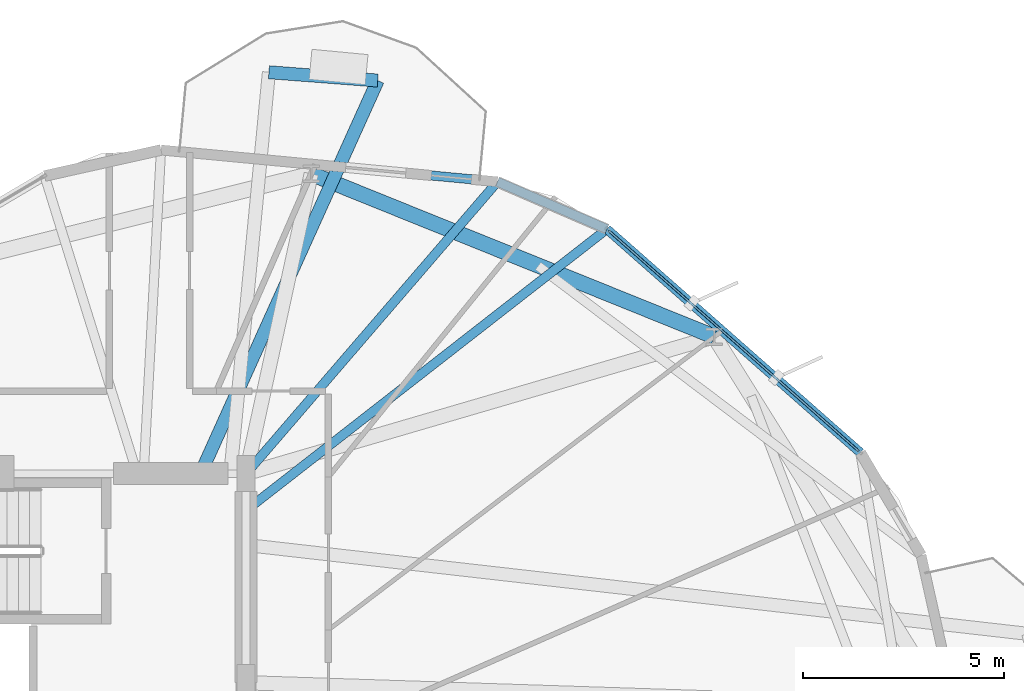
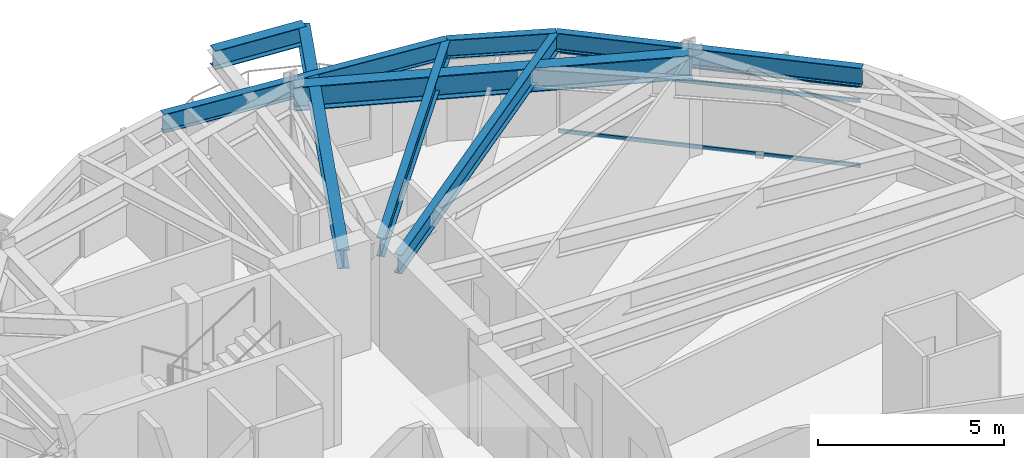
# One storey, part 13 of 21: 8 beams, 3 members, 1 element without a shape of its own.
"""IFC4 building model written with IfcOpenShell, lengths in metres."""

from ifc_helpers import new_model, si_unit, direction, frame, origin, origin_2d, place, context, subcontext, project, spatial, hollow_rectangle, i_section, extrude, material, layer, layer_set, material_profile, profile_set, type_object, element, aggregate, save


model = new_model("IFC4")

# Units and contexts
model_context = context("Model", 3, precision=1e-05, world=origin(), true_north=direction((0.0, 1.0)))
body_context = subcontext(model_context, "Body", "Model", "MODEL_VIEW")
ifc_project = project(units=[si_unit("LENGTHUNIT", "METRE"), si_unit("AREAUNIT", "SQUARE_METRE"), si_unit("VOLUMEUNIT", "CUBIC_METRE"), si_unit("PLANEANGLEUNIT", "RADIAN"), si_unit("MASSUNIT", "GRAM", prefix="KILO")], contexts=[model_context])

# Site, building, storey
site_placement = place(None, origin())
site = spatial("IfcSite", under=ifc_project, at=site_placement, CompositionType="ELEMENT")
building_placement = place(site_placement, origin())
building = spatial("IfcBuilding", under=site, at=building_placement, Name="Soratama Intermodal Tower", CompositionType="ELEMENT")
storey_placement = place(building_placement, frame((0.0, 0.0, 146.199951171875)))
storey = spatial("IfcBuildingStorey", under=building, at=storey_placement, Name="L35", CompositionType="ELEMENT", Elevation=146.199951171875)

# Beams
ifc_material_1 = material(Name="Structural steel ASTM A992 Grade 50", Category="steel")
ifc_material_profile_1 = material_profile(ifc_material_1, i_section(OverallWidth=0.324951171875, OverallDepth=0.615966796875, WebThickness=0.013916015625, FlangeThickness=0.021484375, FilletRadius=0.013916015625, at=origin_2d()), Name="W24X117")
ifc_profile_set_1 = profile_set([ifc_material_profile_1], Name="Structural steel ASTM A992 Grade 50")
beam_type_1 = type_object("IfcBeamType", Name="BM-CANT-W24X117", PredefinedType="BEAM", material=ifc_profile_set_1)
beam_1_placement = place(storey_placement, frame((47.8759765625, 44.777099609375, 2.991943359375), z_axis=(-0.997095075909, 0.076166984965, 0.0), x_axis=(-0.076166984965, -0.997095075909, 0.0)))
element("IfcBeam", 1, at=beam_1_placement, inside=storey, type_object=beam_type_1, Name="BM-L35-CBHDR-2", PredefinedType="BEAM", context=body_context, shape_type="SweptSolid", body=[
    extrude(i_section(OverallWidth=0.324951171875, OverallDepth=0.615966796875, WebThickness=0.013916015625, FlangeThickness=0.021484375, FilletRadius=0.013916015625, at=origin_2d()), origin(), (0.0, 0.0, 1.0), 2.71484375),
])
beam_2_placement = place(storey_placement, frame((43.48291015625, 35.035888671875, 2.991943359375), z_axis=(0.41110551952, 0.91158776419, 0.0), x_axis=(-0.91158776419, 0.41110551952, 0.0)))
element("IfcBeam", 2, at=beam_2_placement, inside=storey, type_object=beam_type_1, Name="BM-L35-CANT-2-1", PredefinedType="BEAM", context=body_context, shape_type="SweptSolid", body=[
    extrude(i_section(OverallWidth=0.324951171875, OverallDepth=0.615966796875, WebThickness=0.013916015625, FlangeThickness=0.021484375, FilletRadius=0.013916015625, at=origin_2d()), origin(), (0.0, 0.0, 1.0), 10.68603515625),
])
ifc_material_2 = material(Name="Structural steel ASTM A992 Grade 50", Category="steel")
ifc_material_profile_2 = material_profile(ifc_material_2, i_section(OverallWidth=0.382080078125, OverallDepth=0.779052734375, WebThickness=0.01806640625, FlangeThickness=0.030029296875, FilletRadius=0.01806640625, at=origin_2d()), Name="W30X191")
ifc_profile_set_2 = profile_set([ifc_material_profile_2], Name="Structural steel ASTM A992 Grade 50")
beam_type_2 = type_object("IfcBeamType", Name="BM-RING-W30X191", PredefinedType="BEAM", material=ifc_profile_set_2)
beam_3_placement = place(storey_placement, frame((56.2490234375, 38.406005859375, 2.91064453125), z_axis=(-0.927202491827, 0.374560461275, 0.0), x_axis=(-0.374560461275, -0.927202491827, 0.0)))
element("IfcBeam", 3, at=beam_3_placement, inside=storey, type_object=beam_type_2, Name="BM-L35-RING-02", PredefinedType="BEAM", context=body_context, shape_type="SweptSolid", body=[
    extrude(i_section(OverallWidth=0.382080078125, OverallDepth=0.779052734375, WebThickness=0.01806640625, FlangeThickness=0.030029296875, FilletRadius=0.01806640625, at=origin_2d()), origin(), (0.0, 0.0, 1.0), 10.8154296875),
])
ifc_material_3 = material(Name="Structural steel ASTM A992 Grade 50", Category="steel")
ifc_material_profile_3 = material_profile(ifc_material_3, i_section(OverallWidth=0.22900390625, OverallDepth=0.612060546875, WebThickness=0.011962890625, FlangeThickness=0.01953125, FilletRadius=0.012939453125, at=origin_2d()), Name="W24X84")
ifc_profile_set_3 = profile_set([ifc_material_profile_3], Name="Structural steel ASTM A992 Grade 50")
beam_type_3 = type_object("IfcBeamType", Name="BM-SPN-W24X84", PredefinedType="SPANDREL", material=ifc_profile_set_3)
beam_4_placement = place(storey_placement, frame((59.8798828125, 35.52294921875, 2.994140625), z_axis=(-0.750079373657, 0.661347815612, 0.0), x_axis=(-0.661347815612, -0.750079373657, 0.0)))
element("IfcBeam", 4, at=beam_4_placement, inside=storey, type_object=beam_type_3, Name="BS-L35-F01", PredefinedType="SPANDREL", context=body_context, shape_type="SweptSolid", body=[
    extrude(i_section(OverallWidth=0.22900390625, OverallDepth=0.612060546875, WebThickness=0.011962890625, FlangeThickness=0.01953125, FilletRadius=0.012939453125, at=origin_2d()), origin(), (0.0, 0.0, 1.0), 8.40576171875),
])
beam_5_placement = place(storey_placement, frame((53.574951171875, 41.08203125, 2.994140625), z_axis=(-0.917742717775, 0.397175407056, 0.0), x_axis=(-0.397175407056, -0.917742717775, 0.0)))
element("IfcBeam", 5, at=beam_5_placement, inside=storey, type_object=beam_type_3, Name="BS-L35-CRN01", PredefinedType="SPANDREL", context=body_context, shape_type="SweptSolid", body=[
    extrude(i_section(OverallWidth=0.22900390625, OverallDepth=0.612060546875, WebThickness=0.011962890625, FlangeThickness=0.01953125, FilletRadius=0.012939453125, at=origin_2d()), origin(), (0.0, 0.0, 1.0), 2.9658203125),
])
beam_6_placement = place(storey_placement, frame((50.85302734375, 42.260009765625, 2.994140625), z_axis=(-0.995561805167, 0.094109999963, 0.0), x_axis=(-0.094109999963, -0.995561805167, 0.0)))
element("IfcBeam", 6, at=beam_6_placement, inside=storey, type_object=beam_type_3, Name="BS-L35-F02", PredefinedType="SPANDREL", context=body_context, shape_type="SweptSolid", body=[
    extrude(i_section(OverallWidth=0.22900390625, OverallDepth=0.612060546875, WebThickness=0.011962890625, FlangeThickness=0.01953125, FilletRadius=0.012939453125, at=origin_2d()), origin(), (0.0, 0.0, 1.0), 8.4052734375),
])
ifc_material_4 = material(Name="Structural steel ASTM A992 Grade 50", Category="steel")
ifc_material_profile_4 = material_profile(ifc_material_4, i_section(OverallWidth=0.22900390625, OverallDepth=0.612060546875, WebThickness=0.011962890625, FlangeThickness=0.01953125, FilletRadius=0.012939453125, at=origin_2d()), Name="W24X84")
ifc_profile_set_4 = profile_set([ifc_material_profile_4], Name="Structural steel ASTM A992 Grade 50")
beam_type_4 = type_object("IfcBeamType", Name="BM-TIE-W24X84", PredefinedType="BEAM", material=ifc_profile_set_4)
beam_7_placement = place(storey_placement, frame((44.632080078125, 34.111083984375, 2.994140625), z_axis=(0.788694395339, 0.614785451, 0.0), x_axis=(-0.614785451, 0.788694395339, 0.0)))
element("IfcBeam", 7, at=beam_7_placement, inside=storey, type_object=beam_type_4, Name="BM-L35-TIE1-01", PredefinedType="BEAM", context=body_context, shape_type="SweptSolid", body=[
    extrude(i_section(OverallWidth=0.22900390625, OverallDepth=0.612060546875, WebThickness=0.011962890625, FlangeThickness=0.01953125, FilletRadius=0.012939453125, at=origin_2d()), origin(), (0.0, 0.0, 1.0), 11.3388671875),
])
beam_8_placement = place(storey_placement, frame((44.6259765625, 35.029052734375, 2.994140625), z_axis=(0.652546803406, 0.757748420892, 0.0), x_axis=(-0.757748420892, 0.652546803406, 0.0)))
element("IfcBeam", 8, at=beam_8_placement, inside=storey, type_object=beam_type_4, Name="BM-L35-TIE0-02", PredefinedType="BEAM", context=body_context, shape_type="SweptSolid", body=[
    extrude(i_section(OverallWidth=0.22900390625, OverallDepth=0.612060546875, WebThickness=0.011962890625, FlangeThickness=0.01953125, FilletRadius=0.012939453125, at=origin_2d()), origin(), (0.0, 0.0, 1.0), 9.542724609375),
])

# Curtain wall, members
ifc_material_5 = material(Name="Double-glazed aluminium curtain wall", Category="aluminium")
ifc_layer = layer(ifc_material_5, 0.159912109375)
ifc_layer_set = layer_set([ifc_layer], Name="Double-glazed aluminium curtain wall")
curtain_wall_type = type_object("IfcCurtainWallType", Name="CW-SYS-4", PredefinedType="NOTDEFINED", material=ifc_layer_set)
curtain_wall_placement = place(storey_placement, origin())
curtain_wall = element("IfcCurtainWall", 9, at=curtain_wall_placement, inside=storey, type_object=curtain_wall_type, Name="L35 Faceted Curtain Wall F01", PredefinedType="NOTDEFINED")
ifc_material_6 = material(Name="Anodised aluminium AA 6063-T6", Category="aluminium")
ifc_material_profile_5 = material_profile(ifc_material_6, hollow_rectangle(XDim=0.06005859375, YDim=0.1298828125, WallThickness=0.0048828125, InnerFilletRadius=0.0048828125, OuterFilletRadius=0.010009765625, at=origin_2d()), Name="CWT130X60X5")
ifc_profile_set_5 = profile_set([ifc_material_profile_5], Name="Anodised aluminium AA 6063-T6")
member_type = type_object("IfcMemberType", Name="TT-CWT-2", PredefinedType="USERDEFINED", material=ifc_profile_set_5)
member_1_placement = place(storey_placement, frame((59.8349609375, 35.56298828125, 0.030029296875), z_axis=(-0.750105241039, 0.661318476504, 0.0), x_axis=(-0.661318476504, -0.750105241039, 0.0)))
member_1 = element("IfcMember", 10, at=member_1_placement, type_object=member_type, Name="CW-4 transom 1.1", ObjectType="TRANSOM", PredefinedType="USERDEFINED", context=body_context, shape_type="SweptSolid", body=[
    extrude(hollow_rectangle(XDim=0.06005859375, YDim=0.1298828125, WallThickness=0.0048828125, InnerFilletRadius=0.0048828125, OuterFilletRadius=0.010009765625, at=origin_2d()), origin(), (0.0, 0.0, 1.0), 8.284912109375),
])
member_2_placement = place(storey_placement, frame((59.8349609375, 35.56298828125, 2.150146484375), z_axis=(-0.750105241039, 0.661318476504, 0.0), x_axis=(-0.661318476504, -0.750105241039, 0.0)))
member_2 = element("IfcMember", 11, at=member_2_placement, type_object=member_type, Name="CW-4 transom 1.2", ObjectType="TRANSOM", PredefinedType="USERDEFINED", context=body_context, shape_type="SweptSolid", body=[
    extrude(hollow_rectangle(XDim=0.06005859375, YDim=0.1298828125, WallThickness=0.0048828125, InnerFilletRadius=0.0048828125, OuterFilletRadius=0.010009765625, at=origin_2d()), origin(), (0.0, 0.0, 1.0), 8.284912109375),
])
member_3_placement = place(storey_placement, frame((59.8349609375, 35.56298828125, 2.649169921875), z_axis=(-0.750105241039, 0.661318476504, 0.0), x_axis=(-0.661318476504, -0.750105241039, 0.0)))
member_3 = element("IfcMember", 12, at=member_3_placement, type_object=member_type, Name="CW-4 transom 1.3", ObjectType="TRANSOM", PredefinedType="USERDEFINED", context=body_context, shape_type="SweptSolid", body=[
    extrude(hollow_rectangle(XDim=0.06005859375, YDim=0.1298828125, WallThickness=0.0048828125, InnerFilletRadius=0.0048828125, OuterFilletRadius=0.010009765625, at=origin_2d()), origin(), (0.0, 0.0, 1.0), 8.284912109375),
])
aggregate(curtain_wall, [member_1, member_2, member_3])

save(model, "model.ifc")
